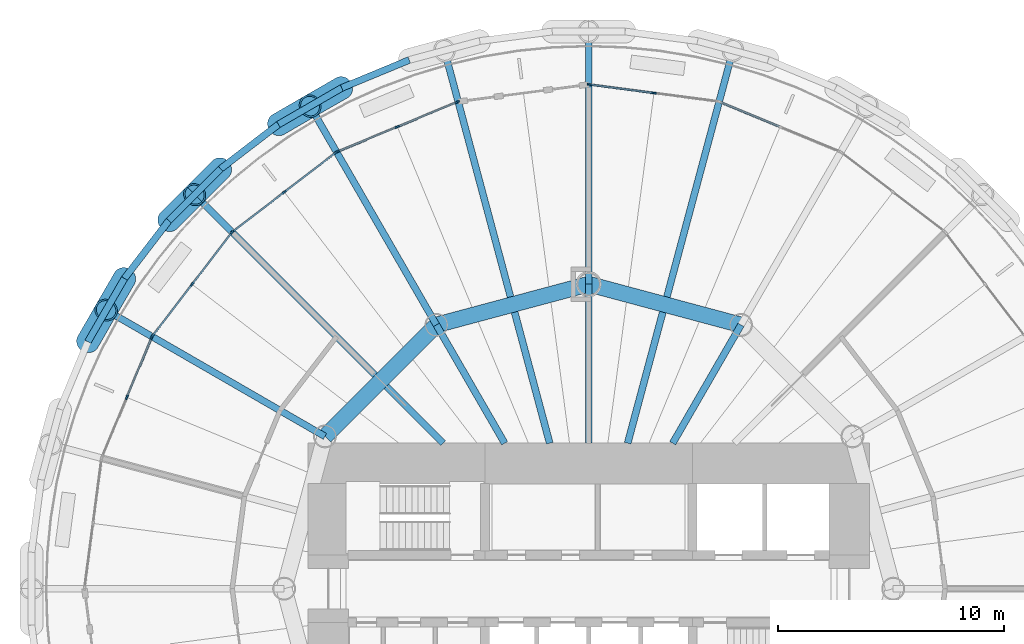
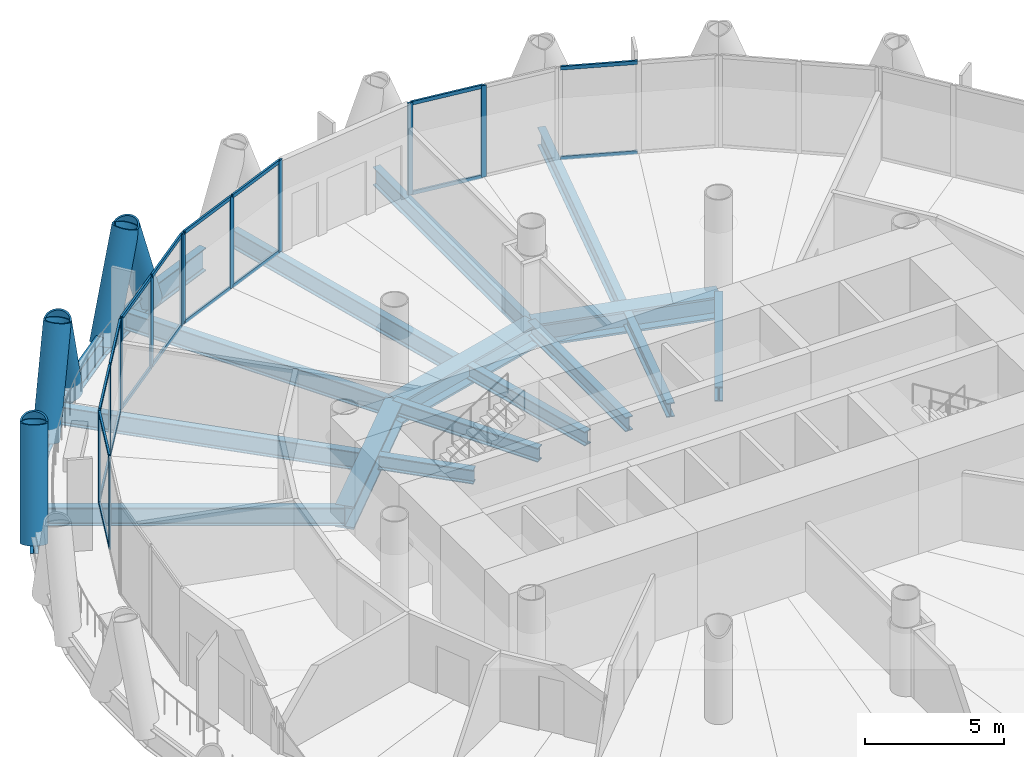
# One storey, part 6 of 15: 37 members, 21 beams, 6 elements without a shape of their own.
"""IFC4 building model written with IfcOpenShell, lengths in metres."""

from ifc_helpers import new_model, si_unit, direction, frame, origin, origin_2d, place, context, subcontext, project, spatial, rectangle, hollow_circle, i_section, extrude, material, material_profile, profile_set, type_object, element, aggregate, save


model = new_model("IFC4")

# Units and contexts
model_context = context("Model", 3, precision=1e-05, world=origin(), true_north=direction((0.0, 1.0)))
body_context = subcontext(model_context, "Body", "Model", "MODEL_VIEW")
ifc_project = project(units=[si_unit("LENGTHUNIT", "METRE"), si_unit("AREAUNIT", "SQUARE_METRE"), si_unit("VOLUMEUNIT", "CUBIC_METRE"), si_unit("PLANEANGLEUNIT", "RADIAN"), si_unit("MASSUNIT", "GRAM", prefix="KILO")], contexts=[model_context])

# Site, building, storey
site_placement = place(None, origin())
site = spatial("IfcSite", under=ifc_project, at=site_placement, CompositionType="ELEMENT")
building_placement = place(site_placement, origin())
building = spatial("IfcBuilding", under=site, at=building_placement, Name="Qaws Media Tower", CompositionType="ELEMENT")
storey_placement = place(building_placement, frame((0.0, 0.0, 156.199951171875)))
storey = spatial("IfcBuildingStorey", under=building, at=storey_placement, Name="L35", CompositionType="ELEMENT", Elevation=156.199951171875)

# Curtain wall, members
ifc_material_1 = material(Name="Aluminium and clear glass", Category="aluminium")
curtain_wall_type = type_object("IfcCurtainWallType", Name="Unitised curtain wall CW-B", PredefinedType="NOTDEFINED", material=ifc_material_1)
curtain_wall_1_placement = place(storey_placement, origin())
curtain_wall_1 = element("IfcCurtainWall", 1, at=curtain_wall_1_placement, inside=storey, type_object=curtain_wall_type, Name="CWB curtain wall L35-06", PredefinedType="NOTDEFINED")
ifc_material_2 = material(Name="Aluminium mullion", Category="aluminium")
ifc_material_profile_1 = material_profile(ifc_material_2, rectangle(XDim=0.080078125, YDim=0.199951171875, at=origin_2d()), Name="80x200")
ifc_profile_set_1 = profile_set([ifc_material_profile_1], Name="Aluminium mullion")
member_type_1 = type_object("IfcMemberType", Name="Curtain wall mullion 80x200", PredefinedType="MULLION", material=ifc_profile_set_1)
member_1_placement = place(storey_placement, frame((62.892333984375, 71.96923828125, 0.0), z_axis=(0.0, 0.0, 1.0), x_axis=(-0.130526221291, -0.991444857547, 0.0)))
member_1 = element("IfcMember", 2, at=member_1_placement, type_object=member_type_1, Name="CWB mullion 2", PredefinedType="MULLION", context=body_context, shape_type="SweptSolid", body=[
    extrude(rectangle(XDim=0.080078125, YDim=0.199951171875, at=origin_2d()), origin(), (0.0, 0.0, 1.0), 4.0400390625),
])
member_2_placement = place(storey_placement, frame((60.03955078125, 72.3447265625, 0.0), z_axis=(0.0, 0.0, 1.0), x_axis=(-0.130526221291, -0.991444857547, 0.0)))
member_2 = element("IfcMember", 3, at=member_2_placement, type_object=member_type_1, Name="CWB mullion 3", PredefinedType="MULLION", context=body_context, shape_type="SweptSolid", body=[
    extrude(rectangle(XDim=0.080078125, YDim=0.199951171875, at=origin_2d()), origin(), (0.0, 0.0, 1.0), 4.0400390625),
])

curtain_wall_2_placement = place(storey_placement, origin())
curtain_wall_2 = element("IfcCurtainWall", 4, at=curtain_wall_2_placement, inside=storey, type_object=curtain_wall_type, Name="CWB curtain wall L35-08", PredefinedType="NOTDEFINED")
member_3_placement = place(storey_placement, frame((54.178466796875, 71.5732421875, 0.0), z_axis=(0.0, 0.0, 1.0), x_axis=(0.38268338828, -0.923879550772, 0.0)))
member_3 = element("IfcMember", 5, at=member_3_placement, type_object=member_type_1, Name="CWB mullion 1", PredefinedType="MULLION", context=body_context, shape_type="SweptSolid", body=[
    extrude(rectangle(XDim=0.080078125, YDim=0.199951171875, at=origin_2d()), origin(), (0.0, 0.0, 1.0), 4.0400390625),
])
member_4_placement = place(storey_placement, frame((51.520263671875, 70.47216796875, 0.0), z_axis=(0.0, 0.0, 1.0), x_axis=(0.38268338828, -0.923879550772, 0.0)))
member_4 = element("IfcMember", 6, at=member_4_placement, type_object=member_type_1, Name="CWB mullion 2", PredefinedType="MULLION", context=body_context, shape_type="SweptSolid", body=[
    extrude(rectangle(XDim=0.080078125, YDim=0.199951171875, at=origin_2d()), origin(), (0.0, 0.0, 1.0), 4.0400390625),
])
member_5_placement = place(storey_placement, frame((48.862060546875, 69.37109375, 0.0), z_axis=(0.0, 0.0, 1.0), x_axis=(0.38268338828, -0.923879550772, 0.0)))
member_5 = element("IfcMember", 7, at=member_5_placement, type_object=member_type_1, Name="CWB mullion 3", PredefinedType="MULLION", context=body_context, shape_type="SweptSolid", body=[
    extrude(rectangle(XDim=0.080078125, YDim=0.199951171875, at=origin_2d()), origin(), (0.0, 0.0, 1.0), 4.0400390625),
])

curtain_wall_3_placement = place(storey_placement, origin())
curtain_wall_3 = element("IfcCurtainWall", 8, at=curtain_wall_3_placement, inside=storey, type_object=curtain_wall_type, Name="CWB curtain wall L35-09", PredefinedType="NOTDEFINED")
member_6_placement = place(storey_placement, frame((48.793212890625, 69.331298828125, 0.0), z_axis=(0.0, 0.0, 1.0), x_axis=(0.608761369344, -0.793353386074, 0.0)))
member_6 = element("IfcMember", 9, at=member_6_placement, type_object=member_type_1, Name="CWB mullion 1", PredefinedType="MULLION", context=body_context, shape_type="SweptSolid", body=[
    extrude(rectangle(XDim=0.080078125, YDim=0.199951171875, at=origin_2d()), origin(), (0.0, 0.0, 1.0), 4.0400390625),
])
member_7_placement = place(storey_placement, frame((46.510498046875, 67.579833984375, 0.0), z_axis=(0.0, 0.0, 1.0), x_axis=(0.608761369344, -0.793353386074, 0.0)))
member_7 = element("IfcMember", 10, at=member_7_placement, type_object=member_type_1, Name="CWB mullion 2", PredefinedType="MULLION", context=body_context, shape_type="SweptSolid", body=[
    extrude(rectangle(XDim=0.080078125, YDim=0.199951171875, at=origin_2d()), origin(), (0.0, 0.0, 1.0), 4.0400390625),
])
member_8_placement = place(storey_placement, frame((44.227783203125, 65.828125, 0.0), z_axis=(0.0, 0.0, 1.0), x_axis=(0.608761369344, -0.793353386074, 0.0)))
member_8 = element("IfcMember", 11, at=member_8_placement, type_object=member_type_1, Name="CWB mullion 3", PredefinedType="MULLION", context=body_context, shape_type="SweptSolid", body=[
    extrude(rectangle(XDim=0.080078125, YDim=0.199951171875, at=origin_2d()), origin(), (0.0, 0.0, 1.0), 4.0400390625),
])

curtain_wall_4_placement = place(storey_placement, origin())
curtain_wall_4 = element("IfcCurtainWall", 12, at=curtain_wall_4_placement, inside=storey, type_object=curtain_wall_type, Name="CWB curtain wall L35-10", PredefinedType="NOTDEFINED")
member_9_placement = place(storey_placement, frame((44.171875, 65.772216796875, 0.0), z_axis=(0.0, 0.0, 1.0), x_axis=(0.793353386074, -0.608761369344, 0.0)))
member_9 = element("IfcMember", 13, at=member_9_placement, type_object=member_type_1, Name="CWB mullion 1", PredefinedType="MULLION", context=body_context, shape_type="SweptSolid", body=[
    extrude(rectangle(XDim=0.080078125, YDim=0.199951171875, at=origin_2d()), origin(), (0.0, 0.0, 1.0), 4.0400390625),
])
member_10_placement = place(storey_placement, frame((42.420166015625, 63.489501953125, 0.0), z_axis=(0.0, 0.0, 1.0), x_axis=(0.793353386074, -0.608761369344, 0.0)))
member_10 = element("IfcMember", 14, at=member_10_placement, type_object=member_type_1, Name="CWB mullion 2", PredefinedType="MULLION", context=body_context, shape_type="SweptSolid", body=[
    extrude(rectangle(XDim=0.080078125, YDim=0.199951171875, at=origin_2d()), origin(), (0.0, 0.0, 1.0), 4.0400390625),
])
member_11_placement = place(storey_placement, frame((40.668701171875, 61.206787109375, 0.0), z_axis=(0.0, 0.0, 1.0), x_axis=(0.793353386074, -0.608761369344, 0.0)))
member_11 = element("IfcMember", 15, at=member_11_placement, type_object=member_type_1, Name="CWB mullion 3", PredefinedType="MULLION", context=body_context, shape_type="SweptSolid", body=[
    extrude(rectangle(XDim=0.080078125, YDim=0.199951171875, at=origin_2d()), origin(), (0.0, 0.0, 1.0), 4.0400390625),
])

curtain_wall_5_placement = place(storey_placement, origin())
curtain_wall_5 = element("IfcCurtainWall", 16, at=curtain_wall_5_placement, inside=storey, type_object=curtain_wall_type, Name="CWB curtain wall L35-11", PredefinedType="NOTDEFINED")
member_12_placement = place(storey_placement, frame((40.62890625, 61.137939453125, 0.0), z_axis=(0.0, 0.0, 1.0), x_axis=(0.923879550772, -0.38268338828, 0.0)))
member_12 = element("IfcMember", 17, at=member_12_placement, type_object=member_type_1, Name="CWB mullion 1", PredefinedType="MULLION", context=body_context, shape_type="SweptSolid", body=[
    extrude(rectangle(XDim=0.080078125, YDim=0.199951171875, at=origin_2d()), origin(), (0.0, 0.0, 1.0), 4.0400390625),
])
member_13_placement = place(storey_placement, frame((39.52783203125, 58.479736328125, 0.0), z_axis=(0.0, 0.0, 1.0), x_axis=(0.923879550772, -0.38268338828, 0.0)))
member_13 = element("IfcMember", 18, at=member_13_placement, type_object=member_type_1, Name="CWB mullion 2", PredefinedType="MULLION", context=body_context, shape_type="SweptSolid", body=[
    extrude(rectangle(XDim=0.080078125, YDim=0.199951171875, at=origin_2d()), origin(), (0.0, 0.0, 1.0), 4.0400390625),
])

curtain_wall_6_placement = place(storey_placement, origin())
curtain_wall_6 = element("IfcCurtainWall", 19, at=curtain_wall_6_placement, inside=storey, type_object=curtain_wall_type, Name="CWB curtain wall L35-05", PredefinedType="NOTDEFINED")
ifc_material_3 = material(Name="Aluminium transom", Category="aluminium")
ifc_material_profile_2 = material_profile(ifc_material_3, rectangle(XDim=0.080078125, YDim=0.159912109375, at=origin_2d()), Name="80x160")
ifc_profile_set_2 = profile_set([ifc_material_profile_2], Name="Aluminium transom")
member_type_2 = type_object("IfcMemberType", Name="Curtain wall transom 80x160", PredefinedType="USERDEFINED", material=ifc_profile_set_2)
member_14_placement = place(storey_placement, frame((68.44287109375, 70.4873046875, 0.0400390625), z_axis=(-0.923875359869, 0.382693505859, 0.0), x_axis=(-0.382693505859, -0.923875359869, 0.0)))
member_14 = element("IfcMember", 20, at=member_14_placement, type_object=member_type_2, Name="CWB transom 2.1", ObjectType="TRANSOM", PredefinedType="USERDEFINED", context=body_context, shape_type="SweptSolid", body=[
    extrude(rectangle(XDim=0.080078125, YDim=0.159912109375, at=origin_2d()), origin(), (0.0, 0.0, 1.0), 2.79736328125),
])
member_15_placement = place(storey_placement, frame((68.44287109375, 70.4873046875, 4.0), z_axis=(-0.923875359869, 0.382693505859, 0.0), x_axis=(-0.382693505859, -0.923875359869, 0.0)))
member_15 = element("IfcMember", 21, at=member_15_placement, type_object=member_type_2, Name="CWB transom 2.2", ObjectType="TRANSOM", PredefinedType="USERDEFINED", context=body_context, shape_type="SweptSolid", body=[
    extrude(rectangle(XDim=0.080078125, YDim=0.159912109375, at=origin_2d()), origin(), (0.0, 0.0, 1.0), 2.79736328125),
])
aggregate(curtain_wall_6, [member_14, member_15])

# Member
member_16_placement = place(storey_placement, frame((62.8525390625, 71.974365234375, 0.0400390625), z_axis=(-0.991438543063, 0.130574175581, 0.0), x_axis=(-0.130574175581, -0.991438543063, 0.0)))
member_16 = element("IfcMember", 22, at=member_16_placement, type_object=member_type_2, Name="CWB transom 2.1", ObjectType="TRANSOM", PredefinedType="USERDEFINED", context=body_context, shape_type="SweptSolid", body=[
    extrude(rectangle(XDim=0.080078125, YDim=0.159912109375, at=origin_2d()), origin(), (0.0, 0.0, 1.0), 2.797119140625),
])

member_17_placement = place(storey_placement, frame((62.8525390625, 71.974365234375, 4.0), z_axis=(-0.991438543063, 0.130574175581, 0.0), x_axis=(-0.130574175581, -0.991438543063, 0.0)))
member_17 = element("IfcMember", 23, at=member_17_placement, type_object=member_type_2, Name="CWB transom 2.2", ObjectType="TRANSOM", PredefinedType="USERDEFINED", context=body_context, shape_type="SweptSolid", body=[
    extrude(rectangle(XDim=0.080078125, YDim=0.159912109375, at=origin_2d()), origin(), (0.0, 0.0, 1.0), 2.797119140625),
])

aggregate(curtain_wall_1, [member_1, member_2, member_16, member_17])

member_18_placement = place(storey_placement, frame((54.1416015625, 71.557861328125, 0.0400390625), z_axis=(-0.923875359869, -0.382693505859, 0.0), x_axis=(0.382693505859, -0.923875359869, 0.0)))
member_18 = element("IfcMember", 24, at=member_18_placement, type_object=member_type_2, Name="CWB transom 1.1", ObjectType="TRANSOM", PredefinedType="USERDEFINED", context=body_context, shape_type="SweptSolid", body=[
    extrude(rectangle(XDim=0.080078125, YDim=0.159912109375, at=origin_2d()), origin(), (0.0, 0.0, 1.0), 2.79736328125),
])

member_19_placement = place(storey_placement, frame((54.1416015625, 71.557861328125, 4.0), z_axis=(-0.923875359869, -0.382693505859, 0.0), x_axis=(0.382693505859, -0.923875359869, 0.0)))
member_19 = element("IfcMember", 25, at=member_19_placement, type_object=member_type_2, Name="CWB transom 1.2", ObjectType="TRANSOM", PredefinedType="USERDEFINED", context=body_context, shape_type="SweptSolid", body=[
    extrude(rectangle(XDim=0.080078125, YDim=0.159912109375, at=origin_2d()), origin(), (0.0, 0.0, 1.0), 2.79736328125),
])

member_20_placement = place(storey_placement, frame((51.483154296875, 70.456787109375, 0.0400390625), z_axis=(-0.923862576768, -0.382724364585, 0.0), x_axis=(0.382724364585, -0.923862576768, 0.0)))
member_20 = element("IfcMember", 26, at=member_20_placement, type_object=member_type_2, Name="CWB transom 2.1", ObjectType="TRANSOM", PredefinedType="USERDEFINED", context=body_context, shape_type="SweptSolid", body=[
    extrude(rectangle(XDim=0.080078125, YDim=0.159912109375, at=origin_2d()), origin(), (0.0, 0.0, 1.0), 2.797119140625),
])

member_21_placement = place(storey_placement, frame((51.483154296875, 70.456787109375, 4.0), z_axis=(-0.923862576768, -0.382724364585, 0.0), x_axis=(0.382724364585, -0.923862576768, 0.0)))
member_21 = element("IfcMember", 27, at=member_21_placement, type_object=member_type_2, Name="CWB transom 2.2", ObjectType="TRANSOM", PredefinedType="USERDEFINED", context=body_context, shape_type="SweptSolid", body=[
    extrude(rectangle(XDim=0.080078125, YDim=0.159912109375, at=origin_2d()), origin(), (0.0, 0.0, 1.0), 2.797119140625),
])

aggregate(curtain_wall_2, [member_3, member_4, member_5, member_18, member_19, member_20, member_21])

member_22_placement = place(storey_placement, frame((48.761474609375, 69.306884765625, 0.0400390625), z_axis=(-0.793353438114, -0.608761301523, 0.0), x_axis=(0.608761301523, -0.793353438114, 0.0)))
member_22 = element("IfcMember", 28, at=member_22_placement, type_object=member_type_2, Name="CWB transom 1.1", ObjectType="TRANSOM", PredefinedType="USERDEFINED", context=body_context, shape_type="SweptSolid", body=[
    extrude(rectangle(XDim=0.080078125, YDim=0.159912109375, at=origin_2d()), origin(), (0.0, 0.0, 1.0), 2.79736328125),
])

member_23_placement = place(storey_placement, frame((48.761474609375, 69.306884765625, 4.0), z_axis=(-0.793353438114, -0.608761301523, 0.0), x_axis=(0.608761301523, -0.793353438114, 0.0)))
member_23 = element("IfcMember", 29, at=member_23_placement, type_object=member_type_2, Name="CWB transom 1.2", ObjectType="TRANSOM", PredefinedType="USERDEFINED", context=body_context, shape_type="SweptSolid", body=[
    extrude(rectangle(XDim=0.080078125, YDim=0.159912109375, at=origin_2d()), origin(), (0.0, 0.0, 1.0), 2.79736328125),
])

member_24_placement = place(storey_placement, frame((46.478759765625, 67.555419921875, 0.0400390625), z_axis=(-0.793353438114, -0.608761301523, 0.0), x_axis=(0.608761301523, -0.793353438114, 0.0)))
member_24 = element("IfcMember", 30, at=member_24_placement, type_object=member_type_2, Name="CWB transom 2.1", ObjectType="TRANSOM", PredefinedType="USERDEFINED", context=body_context, shape_type="SweptSolid", body=[
    extrude(rectangle(XDim=0.080078125, YDim=0.159912109375, at=origin_2d()), origin(), (0.0, 0.0, 1.0), 2.79736328125),
])

member_25_placement = place(storey_placement, frame((46.478759765625, 67.555419921875, 4.0), z_axis=(-0.793353438114, -0.608761301523, 0.0), x_axis=(0.608761301523, -0.793353438114, 0.0)))
member_25 = element("IfcMember", 31, at=member_25_placement, type_object=member_type_2, Name="CWB transom 2.2", ObjectType="TRANSOM", PredefinedType="USERDEFINED", context=body_context, shape_type="SweptSolid", body=[
    extrude(rectangle(XDim=0.080078125, YDim=0.159912109375, at=origin_2d()), origin(), (0.0, 0.0, 1.0), 2.79736328125),
])

aggregate(curtain_wall_3, [member_6, member_7, member_8, member_22, member_23, member_24, member_25])

member_26_placement = place(storey_placement, frame((44.1474609375, 65.740478515625, 0.0400390625), z_axis=(-0.608761301523, -0.793353438114, 0.0), x_axis=(0.793353438114, -0.608761301523, 0.0)))
member_26 = element("IfcMember", 32, at=member_26_placement, type_object=member_type_2, Name="CWB transom 1.1", ObjectType="TRANSOM", PredefinedType="USERDEFINED", context=body_context, shape_type="SweptSolid", body=[
    extrude(rectangle(XDim=0.080078125, YDim=0.159912109375, at=origin_2d()), origin(), (0.0, 0.0, 1.0), 2.79736328125),
])

member_27_placement = place(storey_placement, frame((44.1474609375, 65.740478515625, 4.0), z_axis=(-0.608761301523, -0.793353438114, 0.0), x_axis=(0.793353438114, -0.608761301523, 0.0)))
member_27 = element("IfcMember", 33, at=member_27_placement, type_object=member_type_2, Name="CWB transom 1.2", ObjectType="TRANSOM", PredefinedType="USERDEFINED", context=body_context, shape_type="SweptSolid", body=[
    extrude(rectangle(XDim=0.080078125, YDim=0.159912109375, at=origin_2d()), origin(), (0.0, 0.0, 1.0), 2.79736328125),
])

member_28_placement = place(storey_placement, frame((42.39599609375, 63.457763671875, 0.0400390625), z_axis=(-0.608761301523, -0.793353438114, 0.0), x_axis=(0.793353438114, -0.608761301523, 0.0)))
member_28 = element("IfcMember", 34, at=member_28_placement, type_object=member_type_2, Name="CWB transom 2.1", ObjectType="TRANSOM", PredefinedType="USERDEFINED", context=body_context, shape_type="SweptSolid", body=[
    extrude(rectangle(XDim=0.080078125, YDim=0.159912109375, at=origin_2d()), origin(), (0.0, 0.0, 1.0), 2.79736328125),
])

member_29_placement = place(storey_placement, frame((42.39599609375, 63.457763671875, 4.0), z_axis=(-0.608761301523, -0.793353438114, 0.0), x_axis=(0.793353438114, -0.608761301523, 0.0)))
member_29 = element("IfcMember", 35, at=member_29_placement, type_object=member_type_2, Name="CWB transom 2.2", ObjectType="TRANSOM", PredefinedType="USERDEFINED", context=body_context, shape_type="SweptSolid", body=[
    extrude(rectangle(XDim=0.080078125, YDim=0.159912109375, at=origin_2d()), origin(), (0.0, 0.0, 1.0), 2.79736328125),
])

aggregate(curtain_wall_4, [member_9, member_10, member_11, member_26, member_27, member_28, member_29])

member_30_placement = place(storey_placement, frame((40.61376953125, 61.10107421875, 0.0400390625), z_axis=(-0.382724364585, -0.923862576768, 0.0), x_axis=(0.923862576768, -0.382724364585, 0.0)))
member_30 = element("IfcMember", 36, at=member_30_placement, type_object=member_type_2, Name="CWB transom 1.1", ObjectType="TRANSOM", PredefinedType="USERDEFINED", context=body_context, shape_type="SweptSolid", body=[
    extrude(rectangle(XDim=0.080078125, YDim=0.159912109375, at=origin_2d()), origin(), (0.0, 0.0, 1.0), 2.797119140625),
])

member_31_placement = place(storey_placement, frame((40.61376953125, 61.10107421875, 4.0), z_axis=(-0.382724364585, -0.923862576768, 0.0), x_axis=(0.923862576768, -0.382724364585, 0.0)))
member_31 = element("IfcMember", 37, at=member_31_placement, type_object=member_type_2, Name="CWB transom 1.2", ObjectType="TRANSOM", PredefinedType="USERDEFINED", context=body_context, shape_type="SweptSolid", body=[
    extrude(rectangle(XDim=0.080078125, YDim=0.159912109375, at=origin_2d()), origin(), (0.0, 0.0, 1.0), 2.797119140625),
])

aggregate(curtain_wall_5, [member_12, member_13, member_30, member_31])

# Members
ifc_material_4 = material(Name="Steel S460", Category="steel")
ifc_material_profile_3 = material_profile(ifc_material_4, hollow_circle(Radius=0.508056640625, WallThickness=0.070068359375, at=origin_2d()), Name="CHS 1016x70")
ifc_profile_set_3 = profile_set([ifc_material_profile_3], Name="Steel S460")
member_type_3 = type_object("IfcMemberType", Name="Diagrid member CHS 1016x70", PredefinedType="USERDEFINED", material=ifc_profile_set_3)
for number, where, z_axis, x_axis, name in (
    (38, (49.053466796875, 72.197509765625, -0.6640625), (-0.311808506192, -0.179199044088, 0.933093327628), (0.498281269713, -0.867015441762, 0.0), "DG3 diagrid L35 A08"),
    (39, (43.68115234375, 68.608154296875, -0.6640625), (-0.254752385467, -0.253830352137, 0.933097730376), (0.705823674431, -0.708387563847, 0.0), "DG3 diagrid L35 A09"),
):
    element("IfcMember", number, at=place(storey_placement, frame(where, z_axis=z_axis, x_axis=x_axis)), inside=storey, type_object=member_type_3, Name=name, ObjectType="DIAGRID", PredefinedType="USERDEFINED", context=body_context, shape_type="SweptSolid", body=[
        extrude(hollow_circle(Radius=0.508056640625, WallThickness=0.070068359375, at=origin_2d()), origin(), (0.0, 0.0, 1.0), 4.50146484375),
    ])
for number, where, z_axis, x_axis, name in (
    (40, (46.249755859375, 70.578857421875, -0.6640625), (0.311056012492, 0.180396215789, 0.933113799288), (-0.501684228917, 0.865050827672, 0.0), "DG3 diagrid L35 B09"),
    (41, (39.421142578125, 63.750244140625, -0.6640625), (-0.180396215789, -0.311056012492, 0.933113799288), (0.865050827672, -0.501684228917, 0.0), "DG3 diagrid L35 A10"),
):
    element("IfcMember", number, at=place(storey_placement, frame(where, z_axis=z_axis, x_axis=x_axis)), inside=storey, type_object=member_type_3, Name=name, ObjectType="DIAGRID", PredefinedType="USERDEFINED", context=body_context, shape_type="SweptSolid", body=[
        extrude(hollow_circle(Radius=0.508056640625, WallThickness=0.070068359375, at=origin_2d()), origin(), (0.0, 0.0, 1.0), 4.501220703125),
    ])
for number, where, z_axis, x_axis, name in (
    (42, (41.391845703125, 66.31884765625, -0.6640625), (0.253830352137, 0.254752385467, 0.933097730376), (-0.708387563847, 0.705823674431, 0.0), "DG3 diagrid L35 B10"),
    (43, (37.802490234375, 60.946533203125, -0.6640625), (0.179199044088, 0.311808506192, 0.933093327628), (-0.867015441762, 0.498281269713, 0.0), "DG3 diagrid L35 B11"),
):
    element("IfcMember", number, at=place(storey_placement, frame(where, z_axis=z_axis, x_axis=x_axis)), inside=storey, type_object=member_type_3, Name=name, ObjectType="DIAGRID", PredefinedType="USERDEFINED", context=body_context, shape_type="SweptSolid", body=[
        extrude(hollow_circle(Radius=0.508056640625, WallThickness=0.070068359375, at=origin_2d()), origin(), (0.0, 0.0, 1.0), 4.50146484375),
    ])

# Beams
ifc_material_5 = material(Name="Steel S460", Category="steel")
ifc_material_profile_4 = material_profile(ifc_material_5, i_section(OverallWidth=0.302001953125, OverallDepth=1.008056640625, WebThickness=0.02099609375, FlangeThickness=0.0400390625, FilletRadius=0.030029296875, at=origin_2d()), Name="HE 1000 M")
ifc_profile_set_4 = profile_set([ifc_material_profile_4], Name="Steel S460")
beam_type_1 = type_object("IfcBeamType", Name="Edge ring beam HE 1000 M", PredefinedType="BEAM", material=ifc_profile_set_4)
beam_1_placement = place(storey_placement, frame((52.04443359375, 73.4365234375, -0.6640625), z_axis=(-0.923867010273, -0.382713662324, 0.0), x_axis=(0.382713662324, -0.923867010273, 0.0)))
element("IfcBeam", 44, at=beam_1_placement, inside=storey, type_object=beam_type_1, Name="RB3 edge ring beam L35-15", PredefinedType="BEAM", context=body_context, shape_type="SweptSolid", body=[
    extrude(i_section(OverallWidth=0.302001953125, OverallDepth=1.008056640625, WebThickness=0.02099609375, FlangeThickness=0.0400390625, FilletRadius=0.030029296875, at=origin_2d()), origin(), (0.0, 0.0, 1.0), 3.237548828125),
])
beam_2_placement = place(storey_placement, frame((49.053466796875, 72.197509765625, -0.6640625), z_axis=(-0.866034889475, -0.499983569942, 0.0), x_axis=(0.499983569942, -0.866034889475, 0.0)))
element("IfcBeam", 45, at=beam_2_placement, inside=storey, type_object=beam_type_1, Name="RB3 edge ring beam L35-16", PredefinedType="BEAM", context=body_context, shape_type="SweptSolid", body=[
    extrude(i_section(OverallWidth=0.302001953125, OverallDepth=1.008056640625, WebThickness=0.02099609375, FlangeThickness=0.0400390625, FilletRadius=0.030029296875, at=origin_2d()), origin(), (0.0, 0.0, 1.0), 3.2373046875),
])
for number, where, z_axis, x_axis, name in (
    (46, (46.249755859375, 70.578857421875, -0.6640625), (-0.793391479616, -0.608711721648, 0.0), (0.608711721648, -0.793391479616, 0.0), "RB3 edge ring beam L35-17"),
    (47, (43.68115234375, 68.608154296875, -0.6640625), (-0.707106781187, -0.707106781187, 0.0), (0.707106781187, -0.707106781187, 0.0), "RB3 edge ring beam L35-18"),
    (48, (41.391845703125, 66.31884765625, -0.6640625), (-0.608711721648, -0.793391479616, 0.0), (0.793391479616, -0.608711721648, 0.0), "RB3 edge ring beam L35-19"),
):
    element("IfcBeam", number, at=place(storey_placement, frame(where, z_axis=z_axis, x_axis=x_axis)), inside=storey, type_object=beam_type_1, Name=name, PredefinedType="BEAM", context=body_context, shape_type="SweptSolid", body=[
        extrude(i_section(OverallWidth=0.302001953125, OverallDepth=1.008056640625, WebThickness=0.02099609375, FlangeThickness=0.0400390625, FilletRadius=0.030029296875, at=origin_2d()), origin(), (0.0, 0.0, 1.0), 3.237548828125),
    ])
beam_3_placement = place(storey_placement, frame((39.421142578125, 63.750244140625, -0.6640625), z_axis=(-0.499983569942, -0.866034889475, 0.0), x_axis=(0.866034889475, -0.499983569942, 0.0)))
element("IfcBeam", 49, at=beam_3_placement, inside=storey, type_object=beam_type_1, Name="RB3 edge ring beam L35-20", PredefinedType="BEAM", context=body_context, shape_type="SweptSolid", body=[
    extrude(i_section(OverallWidth=0.302001953125, OverallDepth=1.008056640625, WebThickness=0.02099609375, FlangeThickness=0.0400390625, FilletRadius=0.030029296875, at=origin_2d()), origin(), (0.0, 0.0, 1.0), 3.2373046875),
])
ifc_material_6 = material(Name="Steel S460", Category="steel")
ifc_material_profile_5 = material_profile(ifc_material_6, i_section(OverallWidth=0.699951171875, OverallDepth=1.0, WebThickness=0.034912109375, FlangeThickness=0.090087890625, at=origin_2d()), Name="PG 1000x700")
ifc_profile_set_5 = profile_set([ifc_material_profile_5], Name="Steel S460")
beam_type_2 = type_object("IfcBeamType", Name="Inner ring girder PG 1000x700", PredefinedType="BEAM", material=ifc_profile_set_5)
for number, where, z_axis, x_axis, name in (
    (50, (66.75, 61.69140625, -0.659912109375), (-0.965928090778, 0.258810593767, 0.0), (-0.258810593767, -0.965928090778, 0.0), "B3 inner ring beam L35 I03-I04"),
    (51, (60.0, 63.5, -0.659912109375), (-0.965928090778, -0.258810593767, 0.0), (0.258810593767, -0.965928090778, 0.0), "B3 inner ring beam L35 I04-I05"),
):
    element("IfcBeam", number, at=place(storey_placement, frame(where, z_axis=z_axis, x_axis=x_axis)), inside=storey, type_object=beam_type_2, Name=name, PredefinedType="BEAM", context=body_context, shape_type="SweptSolid", body=[
        extrude(i_section(OverallWidth=0.699951171875, OverallDepth=1.0, WebThickness=0.034912109375, FlangeThickness=0.090087890625, at=origin_2d()), origin(), (0.0, 0.0, 1.0), 6.988037109375),
    ])
beam_4_placement = place(storey_placement, frame((53.25, 61.69140625, -0.659912109375), z_axis=(-0.707106781187, -0.707106781187, 0.0), x_axis=(0.707106781187, -0.707106781187, 0.0)))
element("IfcBeam", 52, at=beam_4_placement, inside=storey, type_object=beam_type_2, Name="B3 inner ring beam L35 I05-I06", PredefinedType="BEAM", context=body_context, shape_type="SweptSolid", body=[
    extrude(i_section(OverallWidth=0.699951171875, OverallDepth=1.0, WebThickness=0.034912109375, FlangeThickness=0.090087890625, at=origin_2d()), origin(), (0.0, 0.0, 1.0), 6.98828125),
])
ifc_material_7 = material(Name="Steel S355", Category="steel")
ifc_material_profile_6 = material_profile(ifc_material_7, i_section(OverallWidth=0.304931640625, OverallDepth=0.6201171875, WebThickness=0.02099609375, FlangeThickness=0.0400390625, FilletRadius=0.027099609375, at=origin_2d()), Name="HE 600 M")
ifc_profile_set_6 = profile_set([ifc_material_profile_6], Name="Steel S355")
beam_type_3 = type_object("IfcBeamType", Name="Radial beam HE 600 M, core side", PredefinedType="BEAM", material=ifc_profile_set_6)
beam_5_placement = place(storey_placement, frame((63.723876953125, 56.449951171875, -0.469970703125), z_axis=(0.499995978368, 0.866027725662, 0.0), x_axis=(-0.866027725662, 0.499995978368, 0.0)))
element("IfcBeam", 53, at=beam_5_placement, inside=storey, type_object=beam_type_3, Name="B2 radial beam L35 05", PredefinedType="BEAM", context=body_context, shape_type="SweptSolid", body=[
    extrude(i_section(OverallWidth=0.304931640625, OverallDepth=0.6201171875, WebThickness=0.02099609375, FlangeThickness=0.0400390625, FilletRadius=0.027099609375, at=origin_2d()), origin(), (0.0, 0.0, 1.0), 6.05224609375),
])
beam_6_placement = place(storey_placement, frame((61.728271484375, 56.449951171875, -0.469970703125), z_axis=(0.258819977482, 0.965925576458, 0.0), x_axis=(-0.965925576458, 0.258819977482, 0.0)))
element("IfcBeam", 54, at=beam_6_placement, inside=storey, type_object=beam_type_3, Name="B2 radial beam L35 06", PredefinedType="BEAM", context=body_context, shape_type="SweptSolid", body=[
    extrude(i_section(OverallWidth=0.304931640625, OverallDepth=0.6201171875, WebThickness=0.02099609375, FlangeThickness=0.0400390625, FilletRadius=0.027099609375, at=origin_2d()), origin(), (0.0, 0.0, 1.0), 6.012451171875),
])
beam_7_placement = place(storey_placement, frame((60.0, 56.449951171875, -0.469970703125), z_axis=(0.0, 1.0, 0.0), x_axis=(-1.0, 0.0, 0.0)))
element("IfcBeam", 55, at=beam_7_placement, inside=storey, type_object=beam_type_3, Name="B2 radial beam L35 07", PredefinedType="BEAM", context=body_context, shape_type="SweptSolid", body=[
    extrude(i_section(OverallWidth=0.304931640625, OverallDepth=0.6201171875, WebThickness=0.02099609375, FlangeThickness=0.0400390625, FilletRadius=0.027099609375, at=origin_2d()), origin(), (0.0, 0.0, 1.0), 7.050048828125),
])
beam_8_placement = place(storey_placement, frame((58.271728515625, 56.449951171875, -0.469970703125), z_axis=(-0.258819977482, 0.965925576458, 0.0), x_axis=(-0.965925576458, -0.258819977482, 0.0)))
element("IfcBeam", 56, at=beam_8_placement, inside=storey, type_object=beam_type_3, Name="B2 radial beam L35 08", PredefinedType="BEAM", context=body_context, shape_type="SweptSolid", body=[
    extrude(i_section(OverallWidth=0.304931640625, OverallDepth=0.6201171875, WebThickness=0.02099609375, FlangeThickness=0.0400390625, FilletRadius=0.027099609375, at=origin_2d()), origin(), (0.0, 0.0, 1.0), 6.012451171875),
])
beam_9_placement = place(storey_placement, frame((56.276123046875, 56.449951171875, -0.469970703125), z_axis=(-0.499995978368, 0.866027725662, 0.0), x_axis=(-0.866027725662, -0.499995978368, 0.0)))
element("IfcBeam", 57, at=beam_9_placement, inside=storey, type_object=beam_type_3, Name="B2 radial beam L35 09", PredefinedType="BEAM", context=body_context, shape_type="SweptSolid", body=[
    extrude(i_section(OverallWidth=0.304931640625, OverallDepth=0.6201171875, WebThickness=0.02099609375, FlangeThickness=0.0400390625, FilletRadius=0.027099609375, at=origin_2d()), origin(), (0.0, 0.0, 1.0), 6.05224609375),
])
beam_10_placement = place(storey_placement, frame((53.550048828125, 56.449951171875, -0.469970703125), z_axis=(-0.707106781187, 0.707106781187, 0.0), x_axis=(-0.707106781187, -0.707106781187, 0.0)))
element("IfcBeam", 58, at=beam_10_placement, inside=storey, type_object=beam_type_3, Name="B2 radial beam L35 10", PredefinedType="BEAM", context=body_context, shape_type="SweptSolid", body=[
    extrude(i_section(OverallWidth=0.304931640625, OverallDepth=0.6201171875, WebThickness=0.02099609375, FlangeThickness=0.0400390625, FilletRadius=0.027099609375, at=origin_2d()), origin(), (0.0, 0.0, 1.0), 3.568359375),
])
ifc_material_8 = material(Name="Steel S355", Category="steel")
ifc_material_profile_7 = material_profile(ifc_material_8, i_section(OverallWidth=0.300048828125, OverallDepth=0.800048828125, WebThickness=0.017578125, FlangeThickness=0.032958984375, FilletRadius=0.030029296875, at=origin_2d()), Name="HE 800 B")
ifc_profile_set_7 = profile_set([ifc_material_profile_7], Name="Steel S355")
beam_type_4 = type_object("IfcBeamType", Name="Radial beam HE 800 B", PredefinedType="BEAM", material=ifc_profile_set_7)
beam_11_placement = place(storey_placement, frame((63.465576171875, 62.933837890625, -0.56005859375), z_axis=(0.258824945313, 0.965924245313, 0.0), x_axis=(-0.965924245313, 0.258824945313, 0.0)))
element("IfcBeam", 59, at=beam_11_placement, inside=storey, type_object=beam_type_4, Name="B1 radial beam L35 06", PredefinedType="BEAM", context=body_context, shape_type="SweptSolid", body=[
    extrude(i_section(OverallWidth=0.300048828125, OverallDepth=0.800048828125, WebThickness=0.017578125, FlangeThickness=0.032958984375, FilletRadius=0.030029296875, at=origin_2d()), origin(), (0.0, 0.0, 1.0), 11.306884765625),
])
beam_12_placement = place(storey_placement, frame((60.0, 63.5, -0.56005859375), z_axis=(0.0, 1.0, 0.0), x_axis=(-1.0, 0.0, 0.0)))
element("IfcBeam", 60, at=beam_12_placement, inside=storey, type_object=beam_type_4, Name="B1 radial beam L35 07", PredefinedType="BEAM", context=body_context, shape_type="SweptSolid", body=[
    extrude(i_section(OverallWidth=0.300048828125, OverallDepth=0.800048828125, WebThickness=0.017578125, FlangeThickness=0.032958984375, FilletRadius=0.030029296875, at=origin_2d()), origin(), (0.0, 0.0, 1.0), 11.197021484375),
])
beam_13_placement = place(storey_placement, frame((56.534423828125, 62.933837890625, -0.56005859375), z_axis=(-0.258824945313, 0.965924245313, 0.0), x_axis=(-0.965924245313, -0.258824945313, 0.0)))
element("IfcBeam", 61, at=beam_13_placement, inside=storey, type_object=beam_type_4, Name="B1 radial beam L35 08", PredefinedType="BEAM", context=body_context, shape_type="SweptSolid", body=[
    extrude(i_section(OverallWidth=0.300048828125, OverallDepth=0.800048828125, WebThickness=0.017578125, FlangeThickness=0.032958984375, FilletRadius=0.030029296875, at=origin_2d()), origin(), (0.0, 0.0, 1.0), 11.306884765625),
])
beam_14_placement = place(storey_placement, frame((53.25, 61.69140625, -0.56005859375), z_axis=(-0.499996762179, 0.866027273133, 0.0), x_axis=(-0.866027273133, -0.499996762179, 0.0)))
element("IfcBeam", 62, at=beam_14_placement, inside=storey, type_object=beam_type_4, Name="B1 radial beam L35 09", PredefinedType="BEAM", context=body_context, shape_type="SweptSolid", body=[
    extrude(i_section(OverallWidth=0.300048828125, OverallDepth=0.800048828125, WebThickness=0.017578125, FlangeThickness=0.032958984375, FilletRadius=0.030029296875, at=origin_2d()), origin(), (0.0, 0.0, 1.0), 11.19677734375),
])
beam_15_placement = place(storey_placement, frame((50.53173828125, 59.46826171875, -0.56005859375), z_axis=(-0.707106781187, 0.707106781187, 0.0), x_axis=(-0.707106781187, -0.707106781187, 0.0)))
element("IfcBeam", 63, at=beam_15_placement, inside=storey, type_object=beam_type_4, Name="B1 radial beam L35 10", PredefinedType="BEAM", context=body_context, shape_type="SweptSolid", body=[
    extrude(i_section(OverallWidth=0.300048828125, OverallDepth=0.800048828125, WebThickness=0.017578125, FlangeThickness=0.032958984375, FilletRadius=0.030029296875, at=origin_2d()), origin(), (0.0, 0.0, 1.0), 11.306884765625),
])
beam_16_placement = place(storey_placement, frame((48.30859375, 56.75, -0.56005859375), z_axis=(-0.866027273133, 0.499996762179, 0.0), x_axis=(-0.499996762179, -0.866027273133, 0.0)))
element("IfcBeam", 64, at=beam_16_placement, inside=storey, type_object=beam_type_4, Name="B1 radial beam L35 11", PredefinedType="BEAM", context=body_context, shape_type="SweptSolid", body=[
    extrude(i_section(OverallWidth=0.300048828125, OverallDepth=0.800048828125, WebThickness=0.017578125, FlangeThickness=0.032958984375, FilletRadius=0.030029296875, at=origin_2d()), origin(), (0.0, 0.0, 1.0), 11.19677734375),
])

save(model, "model.ifc")
